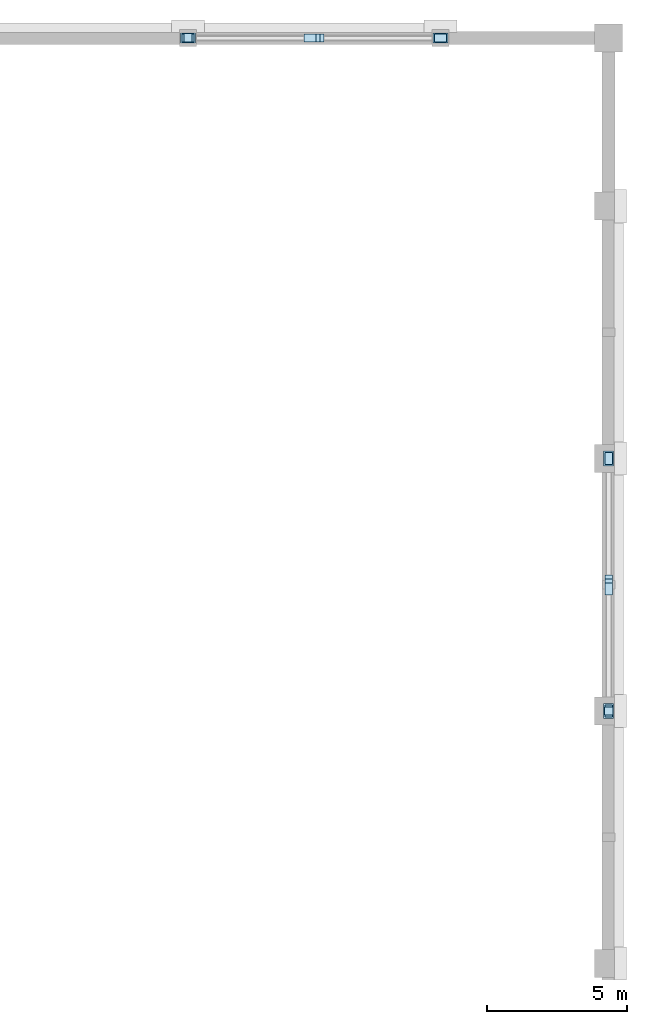
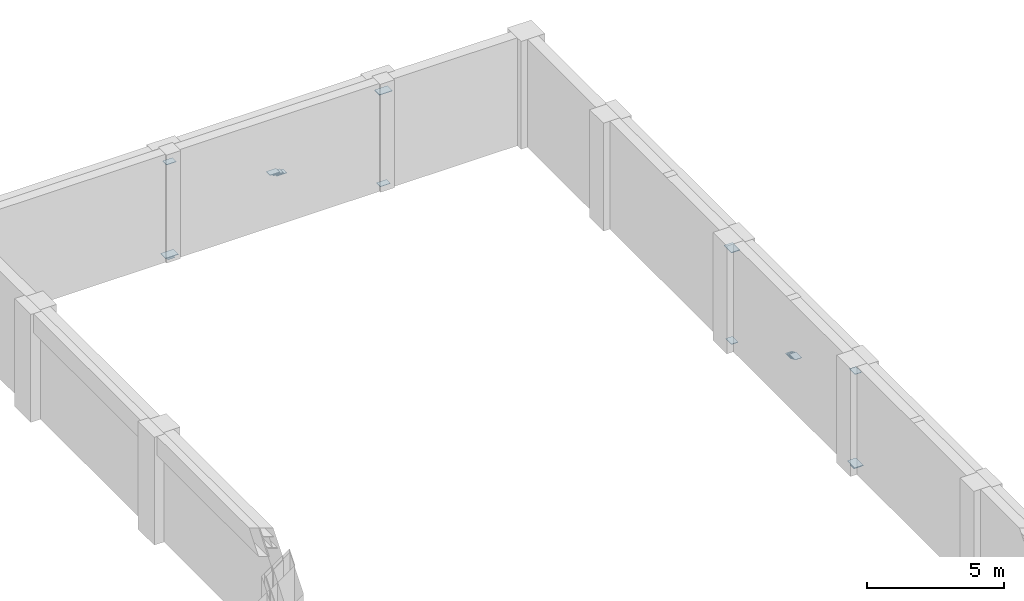
# One storey, part 78 of 92: 16 plates.
"""IFC4 building model written with IfcOpenShell, lengths in metres."""

from ifc_helpers import new_model, si_unit, direction, frame, origin, origin_2d, place, context, subcontext, project, spatial, rectangle, extrude, material, layer, layer_set, type_object, element, save


model = new_model("IFC4")

# Units and contexts
model_context = context("Model", 3, precision=1e-05, world=origin(), true_north=direction((0.0, 1.0)))
body_context = subcontext(model_context, "Body", "Model", "MODEL_VIEW")
ifc_project = project(units=[si_unit("LENGTHUNIT", "METRE"), si_unit("AREAUNIT", "SQUARE_METRE"), si_unit("VOLUMEUNIT", "CUBIC_METRE"), si_unit("PLANEANGLEUNIT", "RADIAN"), si_unit("MASSUNIT", "GRAM", prefix="KILO")], contexts=[model_context])

# Site, building, storey
site_placement = place(None, origin())
site = spatial("IfcSite", under=ifc_project, at=site_placement, CompositionType="ELEMENT")
building_placement = place(site_placement, origin())
building = spatial("IfcBuilding", under=site, at=building_placement, Name="Lykobir Media Centre", CompositionType="ELEMENT")
storey_placement = place(building_placement, frame((0.0, 0.0, 5.39990234375)))
storey = spatial("IfcBuildingStorey", under=building, at=storey_placement, Name="L01", CompositionType="ELEMENT", Elevation=5.39990234375)

# Plates
ifc_material = material(Name="Steel S355", Category="steel")
ifc_layer_1 = layer(ifc_material, 0.01611328125, Name="Steel S355")
ifc_layer_set_1 = layer_set([ifc_layer_1], Name="Steel S355")
plate_type_1 = type_object("IfcPlateType", Name="CP-280", PredefinedType="SHEET", material=ifc_layer_set_1)
for number, where, z_axis, x_axis, name in (
    (1, (168.0, 90.0, 0.001953125), (0.0, 0.0, 1.0), (0.0, 1.0, 0.0), "Structural plate PLT-L01-1680-0900-0054"),
    (2, (153.0, 114.0, 0.001953125), (0.0, 0.0, 1.0), (1.0, 0.0, 0.0), "Structural plate PLT-L01-1530-1140-0054"),
):
    element("IfcPlate", number, at=place(storey_placement, frame(where, z_axis=z_axis, x_axis=x_axis)), inside=storey, type_object=plate_type_1, Name=name, PredefinedType="SHEET", context=body_context, shape_type="SweptSolid", body=[
        extrude(rectangle(XDim=0.300048828125, YDim=0.300048828125, at=origin_2d()), origin(), (0.0, 0.0, 1.0), 0.01611328125),
    ])
ifc_layer_2 = layer(ifc_material, 0.02001953125, Name="Steel S355")
ifc_layer_set_2 = layer_set([ifc_layer_2], Name="Steel S355")
plate_type_2 = type_object("IfcPlateType", Name="GP-420", PredefinedType="USERDEFINED", material=ifc_layer_set_2)
for number, where, z_axis, x_axis, name in (
    (3, (168.0, 94.5, 2.170166015625), (0.0, 0.0, 1.0), (0.0, 1.0, 0.0), "Structural plate PLT-L01-1680-0945-0076"),
    (4, (168.0, 99.0, 0.110107421875), (0.0, 0.0, 1.0), (0.0, 1.0, 0.0), "Structural plate PLT-L01-1680-0990-0055"),
    (5, (168.0, 94.6455078125, 2.103515625), (0.0, 0.0, 1.0), (0.0, 1.0, 0.0), "Structural plate PLT-L01-1680-0946-0075"),
    (6, (168.0, 94.3544921875, 2.236572265625), (0.0, 0.0, 1.0), (0.0, 1.0, 0.0), "Structural plate PLT-L01-1680-0944-0076"),
    (7, (168.0, 90.0, 4.22998046875), (0.0, 0.0, 1.0), (0.0, 1.0, 0.0), "Structural plate PLT-L01-1680-0900-0096"),
    (8, (157.5, 114.0, 2.170166015625), (0.0, 0.0, 1.0), (1.0, 0.0, 0.0), "Structural plate PLT-L01-1575-1140-0076"),
    (9, (162.0, 114.0, 0.110107421875), (0.0, 0.0, 1.0), (1.0, 0.0, 0.0), "Structural plate PLT-L01-1620-1140-0055"),
    (10, (157.6455078125, 114.0, 2.103515625), (0.0, 0.0, 1.0), (1.0, 0.0, 0.0), "Structural plate PLT-L01-1576-1140-0075"),
    (11, (157.3544921875, 114.0, 2.236572265625), (0.0, 0.0, 1.0), (1.0, 0.0, 0.0), "Structural plate PLT-L01-1574-1140-0076"),
    (12, (153.0, 114.0, 4.22998046875), (0.0, 0.0, 1.0), (1.0, 0.0, 0.0), "Structural plate PLT-L01-1530-1140-0096"),
):
    element("IfcPlate", number, at=place(storey_placement, frame(where, z_axis=z_axis, x_axis=x_axis)), inside=storey, type_object=plate_type_2, Name=name, ObjectType="GUSSET_PLATE", PredefinedType="USERDEFINED", context=body_context, shape_type="SweptSolid", body=[
        extrude(rectangle(XDim=0.419921875, YDim=0.280029296875, at=origin_2d()), origin(), (0.0, 0.0, 1.0), 0.02001953125),
    ])
ifc_layer_3 = layer(ifc_material, 0.028076171875, Name="Steel S355")
ifc_layer_set_3 = layer_set([ifc_layer_3], Name="Steel S355")
plate_type_3 = type_object("IfcPlateType", Name="GP-540", PredefinedType="USERDEFINED", material=ifc_layer_set_3)
for number, where, z_axis, x_axis, name in (
    (13, (168.0, 90.0, 0.10595703125), (0.0, 0.0, 1.0), (0.0, 1.0, 0.0), "Structural plate PLT-L01-1680-0900-0055"),
    (14, (168.0, 99.0, 4.22607421875), (0.0, 0.0, 1.0), (0.0, 1.0, 0.0), "Structural plate PLT-L01-1680-0990-0096"),
    (15, (153.0, 114.0, 0.10595703125), (0.0, 0.0, 1.0), (1.0, 0.0, 0.0), "Structural plate PLT-L01-1530-1140-0055"),
    (16, (162.0, 114.0, 4.22607421875), (0.0, 0.0, 1.0), (1.0, 0.0, 0.0), "Structural plate PLT-L01-1620-1140-0096"),
):
    element("IfcPlate", number, at=place(storey_placement, frame(where, z_axis=z_axis, x_axis=x_axis)), inside=storey, type_object=plate_type_3, Name=name, ObjectType="GUSSET_PLATE", PredefinedType="USERDEFINED", context=body_context, shape_type="SweptSolid", body=[
        extrude(rectangle(XDim=0.5400390625, YDim=0.360107421875, at=origin_2d()), origin(), (0.0, 0.0, 1.0), 0.028076171875),
    ])

save(model, "model.ifc")
